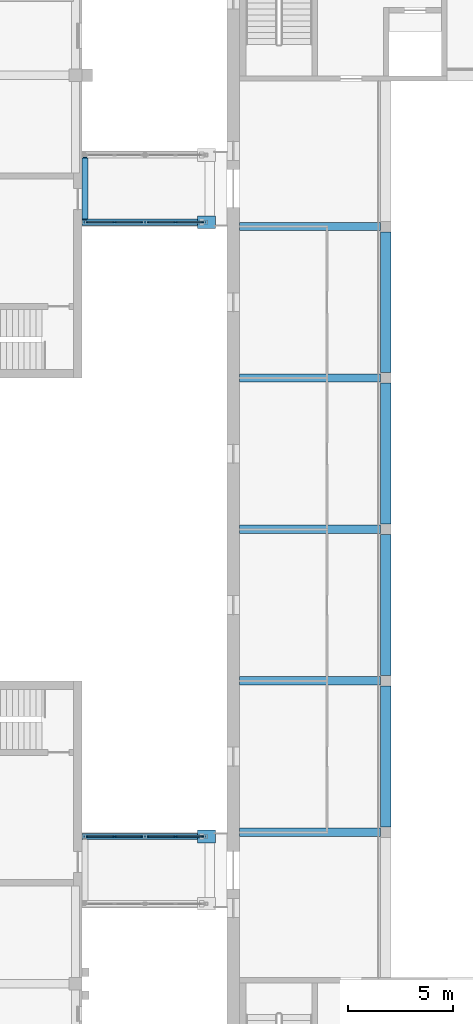
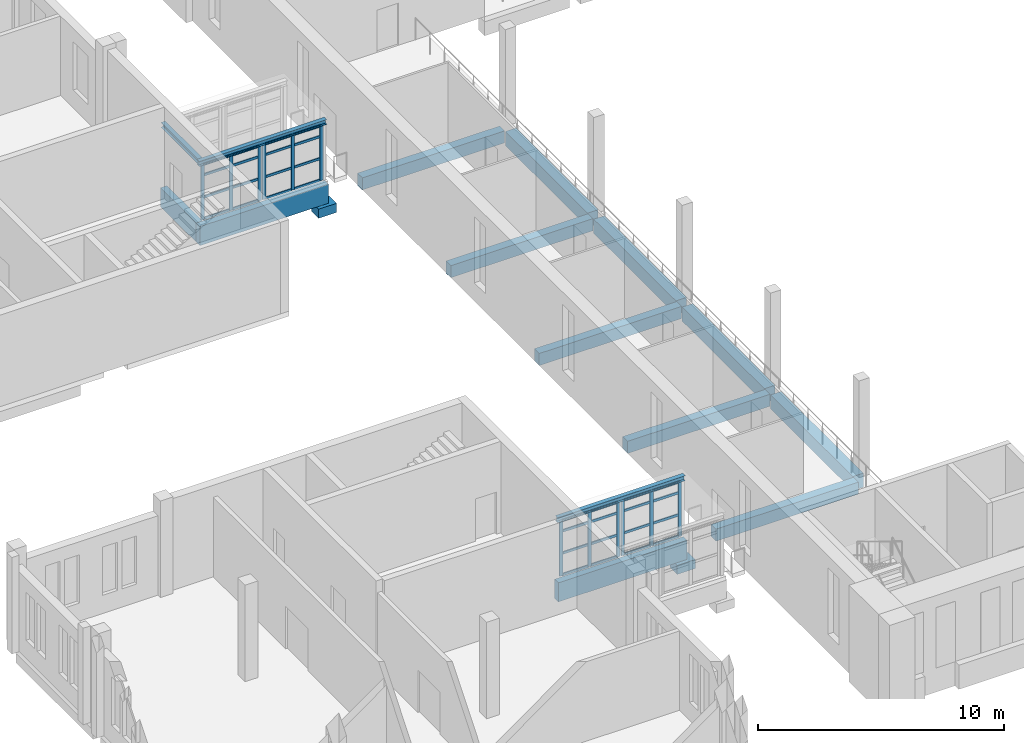
# One storey, part 39 of 131: 44 members, 17 beams, 4 elements without a shape of their own.
"""IFC4 building model written with IfcOpenShell, lengths in metres."""

from ifc_helpers import new_model, si_unit, direction, frame, origin, origin_2d, place, context, subcontext, project, spatial, rectangle, i_section, extrude, material, layer, layer_set, material_profile, profile_set, type_object, element, aggregate, save


model = new_model("IFC4")

# Units and contexts
model_context = context("Model", 3, precision=1e-05, world=origin(), true_north=direction((0.0, 1.0)))
body_context = subcontext(model_context, "Body", "Model", "MODEL_VIEW")
ifc_project = project(units=[si_unit("LENGTHUNIT", "METRE"), si_unit("AREAUNIT", "SQUARE_METRE"), si_unit("VOLUMEUNIT", "CUBIC_METRE"), si_unit("PLANEANGLEUNIT", "RADIAN"), si_unit("MASSUNIT", "GRAM", prefix="KILO")], contexts=[model_context])

# Site, building, storey
site_placement = place(None, origin())
site = spatial("IfcSite", under=ifc_project, at=site_placement, CompositionType="ELEMENT")
building_placement = place(site_placement, origin())
building = spatial("IfcBuilding", under=site, at=building_placement, Name="Alderwick Market Hall", CompositionType="ELEMENT")
storey_placement = place(building_placement, frame((0.0, 0.0, 4.800048828125)))
storey = spatial("IfcBuildingStorey", under=building, at=storey_placement, Name="L00", CompositionType="ELEMENT", Elevation=4.800048828125)

# Beams
ifc_material_1 = material(Name="Concrete 5000 psi (f'c 35 MPa)", Category="concrete")
ifc_material_profile_1 = material_profile(ifc_material_1, rectangle(XDim=0.5, YDim=0.699951171875, at=origin_2d()), Name="RC 500x700")
ifc_profile_set_1 = profile_set([ifc_material_profile_1], Name="Concrete 5000 psi (f'c 35 MPa)")
beam_type_1 = type_object("IfcBeamType", Name="H Edge beam 500x700", PredefinedType="BEAM", material=ifc_profile_set_1)
for number, where, z_axis, x_axis, name in (
    (1, (57.639892578125, 65.050048828125, -0.60009765625), (0.0, 1.0, 0.0), (-1.0, 0.0, 0.0), "Gallery edge beam W"),
    (2, (57.639892578125, 72.25, -0.60009765625), (0.0, 1.0, 0.0), (-1.0, 0.0, 0.0), "Gallery edge beam W"),
    (3, (57.639892578125, 79.449951171875, -0.60009765625), (0.0, 1.0, 0.0), (-1.0, 0.0, 0.0), "Gallery edge beam W"),
):
    element("IfcBeam", number, at=place(storey_placement, frame(where, z_axis=z_axis, x_axis=x_axis)), inside=storey, type_object=beam_type_1, Name=name, PredefinedType="BEAM", context=body_context, shape_type="SweptSolid", body=[
        extrude(rectangle(XDim=0.5, YDim=0.699951171875, at=origin_2d()), origin(), (0.0, 0.0, 1.0), 6.699951171875),
    ])
beam_1_placement = place(storey_placement, frame((57.639892578125, 86.64990234375, -0.60009765625), z_axis=(0.0, 1.0, 0.0), x_axis=(-1.0, 0.0, 0.0)))
element("IfcBeam", 4, at=beam_1_placement, inside=storey, type_object=beam_type_1, Name="Gallery edge beam W", PredefinedType="BEAM", context=body_context, shape_type="SweptSolid", body=[
    extrude(rectangle(XDim=0.5, YDim=0.699951171875, at=origin_2d()), origin(), (0.0, 0.0, 1.0), 6.7001953125),
])
ifc_material_profile_2 = material_profile(ifc_material_1, rectangle(XDim=0.39990234375, YDim=0.60009765625, at=origin_2d()), Name="RC 400x600")
ifc_profile_set_2 = profile_set([ifc_material_profile_2], Name="Concrete 5000 psi (f'c 35 MPa)")
beam_type_2 = type_object("IfcBeamType", Name="H Gallery beam 400x600", PredefinedType="BEAM", material=ifc_profile_set_2)
for number, where, z_axis, x_axis, name in (
    (5, (50.699951171875, 64.800048828125, -0.550048828125), (1.0, 0.0, 0.0), (0.0, 1.0, 0.0), "Gallery beam W"),
    (6, (50.699951171875, 72.0, -0.550048828125), (1.0, 0.0, 0.0), (0.0, 1.0, 0.0), "Gallery beam W"),
    (7, (50.699951171875, 79.199951171875, -0.550048828125), (1.0, 0.0, 0.0), (0.0, 1.0, 0.0), "Gallery beam W"),
    (8, (50.699951171875, 86.39990234375, -0.550048828125), (1.0, 0.0, 0.0), (0.0, 1.0, 0.0), "Gallery beam W"),
    (9, (50.699951171875, 93.60009765625, -0.550048828125), (1.0, 0.0, 0.0), (0.0, 1.0, 0.0), "Gallery beam W"),
):
    element("IfcBeam", number, at=place(storey_placement, frame(where, z_axis=z_axis, x_axis=x_axis)), inside=storey, type_object=beam_type_2, Name=name, PredefinedType="BEAM", context=body_context, shape_type="SweptSolid", body=[
        extrude(rectangle(XDim=0.39990234375, YDim=0.60009765625, at=origin_2d()), origin(), (0.0, 0.0, 1.0), 6.68994140625),
    ])

# Curtain wall, members
ifc_material_2 = material(Name="Aluminium frame", Category="aluminium")
ifc_layer = layer(ifc_material_2, 0.10009765625)
ifc_layer_set = layer_set([ifc_layer], Name="Aluminium frame")
curtain_wall_type = type_object("IfcCurtainWallType", Name="P Curtain Wall 100", PredefinedType="NOTDEFINED", material=ifc_layer_set)
curtain_wall_1_placement = place(storey_placement, origin())
curtain_wall_1 = element("IfcCurtainWall", 10, at=curtain_wall_1_placement, inside=storey, type_object=curtain_wall_type, Name="P.P5.cw.a0", PredefinedType="NOTDEFINED")
ifc_material_profile_3 = material_profile(ifc_material_2, rectangle(XDim=0.06005859375, YDim=0.159912109375, at=origin_2d()), Name="P Mullion 60x160")
ifc_profile_set_3 = profile_set([ifc_material_profile_3], Name="Aluminium frame")
member_type_1 = type_object("IfcMemberType", Name="P Mullion 60x160", PredefinedType="MULLION", material=ifc_profile_set_3)
member_1_placement = place(storey_placement, frame((43.406005859375, 93.800048828125, 0.0), z_axis=(0.0, 0.0, 1.0), x_axis=(0.0, 1.0, 0.0)))
member_1 = element("IfcMember", 11, at=member_1_placement, type_object=member_type_1, Name="P-CW5a0 mullion 1", PredefinedType="MULLION", context=body_context, shape_type="SweptSolid", body=[
    extrude(rectangle(XDim=0.06005859375, YDim=0.159912109375, at=origin_2d()), origin(), (0.0, 0.0, 1.0), 2.7529296875),
])
member_2_placement = place(storey_placement, frame((44.75, 93.800048828125, 0.0), z_axis=(0.0, 0.0, 1.0), x_axis=(0.0, 1.0, 0.0)))
member_2 = element("IfcMember", 12, at=member_2_placement, type_object=member_type_1, Name="P-CW5a0 mullion 2", PredefinedType="MULLION", context=body_context, shape_type="SweptSolid", body=[
    extrude(rectangle(XDim=0.06005859375, YDim=0.159912109375, at=origin_2d()), origin(), (0.0, 0.0, 1.0), 2.7529296875),
])
member_3_placement = place(storey_placement, frame((46.093994140625, 93.800048828125, 0.0), z_axis=(0.0, 0.0, 1.0), x_axis=(0.0, 1.0, 0.0)))
member_3 = element("IfcMember", 13, at=member_3_placement, type_object=member_type_1, Name="P-CW5a0 mullion 3", PredefinedType="MULLION", context=body_context, shape_type="SweptSolid", body=[
    extrude(rectangle(XDim=0.06005859375, YDim=0.159912109375, at=origin_2d()), origin(), (0.0, 0.0, 1.0), 2.7529296875),
])

curtain_wall_2_placement = place(storey_placement, origin())
curtain_wall_2 = element("IfcCurtainWall", 14, at=curtain_wall_2_placement, inside=storey, type_object=curtain_wall_type, Name="P.P5.cw.a1", PredefinedType="NOTDEFINED")
member_4_placement = place(storey_placement, frame((46.305908203125, 93.800048828125, 0.0), z_axis=(0.0, 0.0, 1.0), x_axis=(0.0, 1.0, 0.0)))
member_4 = element("IfcMember", 15, at=member_4_placement, type_object=member_type_1, Name="P-CW5a1 mullion 1", PredefinedType="MULLION", context=body_context, shape_type="SweptSolid", body=[
    extrude(rectangle(XDim=0.06005859375, YDim=0.159912109375, at=origin_2d()), origin(), (0.0, 0.0, 1.0), 2.7529296875),
])
member_5_placement = place(storey_placement, frame((47.64990234375, 93.800048828125, 0.0), z_axis=(0.0, 0.0, 1.0), x_axis=(0.0, 1.0, 0.0)))
member_5 = element("IfcMember", 16, at=member_5_placement, type_object=member_type_1, Name="P-CW5a1 mullion 2", PredefinedType="MULLION", context=body_context, shape_type="SweptSolid", body=[
    extrude(rectangle(XDim=0.06005859375, YDim=0.159912109375, at=origin_2d()), origin(), (0.0, 0.0, 1.0), 2.7529296875),
])
member_6_placement = place(storey_placement, frame((48.993896484375, 93.800048828125, 0.0), z_axis=(0.0, 0.0, 1.0), x_axis=(0.0, 1.0, 0.0)))
member_6 = element("IfcMember", 17, at=member_6_placement, type_object=member_type_1, Name="P-CW5a1 mullion 3", PredefinedType="MULLION", context=body_context, shape_type="SweptSolid", body=[
    extrude(rectangle(XDim=0.06005859375, YDim=0.159912109375, at=origin_2d()), origin(), (0.0, 0.0, 1.0), 2.7529296875),
])

curtain_wall_3_placement = place(storey_placement, origin())
curtain_wall_3 = element("IfcCurtainWall", 18, at=curtain_wall_3_placement, inside=storey, type_object=curtain_wall_type, Name="P.P6.cw.b0", PredefinedType="NOTDEFINED")
member_7_placement = place(storey_placement, frame((43.406005859375, 64.60009765625, 0.0), z_axis=(0.0, 0.0, 1.0), x_axis=(0.0, 1.0, 0.0)))
member_7 = element("IfcMember", 19, at=member_7_placement, type_object=member_type_1, Name="P-CW6b0 mullion 1", PredefinedType="MULLION", context=body_context, shape_type="SweptSolid", body=[
    extrude(rectangle(XDim=0.06005859375, YDim=0.159912109375, at=origin_2d()), origin(), (0.0, 0.0, 1.0), 2.7529296875),
])
member_8_placement = place(storey_placement, frame((44.75, 64.60009765625, 0.0), z_axis=(0.0, 0.0, 1.0), x_axis=(0.0, 1.0, 0.0)))
member_8 = element("IfcMember", 20, at=member_8_placement, type_object=member_type_1, Name="P-CW6b0 mullion 2", PredefinedType="MULLION", context=body_context, shape_type="SweptSolid", body=[
    extrude(rectangle(XDim=0.06005859375, YDim=0.159912109375, at=origin_2d()), origin(), (0.0, 0.0, 1.0), 2.7529296875),
])
member_9_placement = place(storey_placement, frame((46.093994140625, 64.60009765625, 0.0), z_axis=(0.0, 0.0, 1.0), x_axis=(0.0, 1.0, 0.0)))
member_9 = element("IfcMember", 21, at=member_9_placement, type_object=member_type_1, Name="P-CW6b0 mullion 3", PredefinedType="MULLION", context=body_context, shape_type="SweptSolid", body=[
    extrude(rectangle(XDim=0.06005859375, YDim=0.159912109375, at=origin_2d()), origin(), (0.0, 0.0, 1.0), 2.7529296875),
])

curtain_wall_4_placement = place(storey_placement, origin())
curtain_wall_4 = element("IfcCurtainWall", 22, at=curtain_wall_4_placement, inside=storey, type_object=curtain_wall_type, Name="P.P6.cw.b1", PredefinedType="NOTDEFINED")
member_10_placement = place(storey_placement, frame((46.305908203125, 64.60009765625, 0.0), z_axis=(0.0, 0.0, 1.0), x_axis=(0.0, 1.0, 0.0)))
member_10 = element("IfcMember", 23, at=member_10_placement, type_object=member_type_1, Name="P-CW6b1 mullion 1", PredefinedType="MULLION", context=body_context, shape_type="SweptSolid", body=[
    extrude(rectangle(XDim=0.06005859375, YDim=0.159912109375, at=origin_2d()), origin(), (0.0, 0.0, 1.0), 2.7529296875),
])
member_11_placement = place(storey_placement, frame((47.64990234375, 64.60009765625, 0.0), z_axis=(0.0, 0.0, 1.0), x_axis=(0.0, 1.0, 0.0)))
member_11 = element("IfcMember", 24, at=member_11_placement, type_object=member_type_1, Name="P-CW6b1 mullion 2", PredefinedType="MULLION", context=body_context, shape_type="SweptSolid", body=[
    extrude(rectangle(XDim=0.06005859375, YDim=0.159912109375, at=origin_2d()), origin(), (0.0, 0.0, 1.0), 2.7529296875),
])
member_12_placement = place(storey_placement, frame((48.993896484375, 64.60009765625, 0.0), z_axis=(0.0, 0.0, 1.0), x_axis=(0.0, 1.0, 0.0)))
member_12 = element("IfcMember", 25, at=member_12_placement, type_object=member_type_1, Name="P-CW6b1 mullion 3", PredefinedType="MULLION", context=body_context, shape_type="SweptSolid", body=[
    extrude(rectangle(XDim=0.06005859375, YDim=0.159912109375, at=origin_2d()), origin(), (0.0, 0.0, 1.0), 2.7529296875),
])

# Beams
ifc_material_profile_4 = material_profile(ifc_material_1, rectangle(XDim=0.60009765625, YDim=0.449951171875, at=origin_2d()), Name="P RC Bearing Corbel 600x450")
ifc_profile_set_4 = profile_set([ifc_material_profile_4], Name="Concrete 5000 psi (f'c 35 MPa)")
beam_type_3 = type_object("IfcBeamType", Name="P RC Bearing Corbel 600x450", PredefinedType="USERDEFINED", material=ifc_profile_set_4)
for number, where, z_axis, x_axis, name in (
    (26, (48.699951171875, 93.800048828125, -1.39306640625), (1.0, 0.0, 0.0), (0.0, 1.0, 0.0), "Bearing corbel"),
    (27, (48.699951171875, 64.60009765625, -1.39306640625), (1.0, 0.0, 0.0), (0.0, 1.0, 0.0), "Bearing corbel"),
):
    element("IfcBeam", number, at=place(storey_placement, frame(where, z_axis=z_axis, x_axis=x_axis)), inside=storey, type_object=beam_type_3, Name=name, ObjectType="CORBEL", PredefinedType="USERDEFINED", context=body_context, shape_type="SweptSolid", body=[
        extrude(rectangle(XDim=0.60009765625, YDim=0.449951171875, at=origin_2d()), origin(), (0.0, 0.0, 1.0), 0.85009765625),
    ])
ifc_material_profile_5 = material_profile(ifc_material_1, rectangle(XDim=0.300048828125, YDim=0.949951171875, at=origin_2d()), Name="P RC Edge Girder 300x950")
ifc_profile_set_5 = profile_set([ifc_material_profile_5], Name="Concrete 5000 psi (f'c 35 MPa)")
beam_type_4 = type_object("IfcBeamType", Name="P RC Edge Girder 300x950", PredefinedType="BEAM", material=ifc_profile_set_5)
beam_2_placement = place(storey_placement, frame((43.199951171875, 93.800048828125, -0.675048828125), z_axis=(1.0, 0.0, 0.0), x_axis=(0.0, 1.0, 0.0)))
element("IfcBeam", 28, at=beam_2_placement, inside=storey, type_object=beam_type_4, Name="P.P5.girder.a", PredefinedType="BEAM", context=body_context, shape_type="SweptSolid", body=[
    extrude(rectangle(XDim=0.300048828125, YDim=0.949951171875, at=origin_2d()), origin(), (0.0, 0.0, 1.0), 6.050048828125),
])
beam_3_placement = place(storey_placement, frame((43.35009765625, 93.949951171875, -0.675048828125), z_axis=(0.0, 1.0, 0.0), x_axis=(-1.0, 0.0, 0.0)))
element("IfcBeam", 29, at=beam_3_placement, inside=storey, type_object=beam_type_4, Name="Passage tie girder", PredefinedType="BEAM", context=body_context, shape_type="SweptSolid", body=[
    extrude(rectangle(XDim=0.300048828125, YDim=0.949951171875, at=origin_2d()), origin(), (0.0, 0.0, 1.0), 2.900146484375),
])
beam_4_placement = place(storey_placement, frame((43.199951171875, 64.60009765625, -0.675048828125), z_axis=(1.0, 0.0, 0.0), x_axis=(0.0, 1.0, 0.0)))
element("IfcBeam", 30, at=beam_4_placement, inside=storey, type_object=beam_type_4, Name="P.P6.girder.b", PredefinedType="BEAM", context=body_context, shape_type="SweptSolid", body=[
    extrude(rectangle(XDim=0.300048828125, YDim=0.949951171875, at=origin_2d()), origin(), (0.0, 0.0, 1.0), 6.050048828125),
])
ifc_material_3 = material(Name="Steel ASTM A992 Grade 50", Category="steel")
ifc_material_profile_6 = material_profile(ifc_material_3, i_section(OverallWidth=0.201904296875, OverallDepth=0.2470703125, WebThickness=0.00732421875, FlangeThickness=0.010986328125, at=origin_2d()), Name="W250x49")
ifc_profile_set_6 = profile_set([ifc_material_profile_6], Name="Steel ASTM A992 Grade 50")
beam_type_5 = type_object("IfcBeamType", Name="P Roof Beam W250x49", PredefinedType="BEAM", material=ifc_profile_set_6)
beam_5_placement = place(storey_placement, frame((43.199951171875, 93.800048828125, 2.87646484375), z_axis=(1.0, 0.0, 0.0), x_axis=(0.0, 1.0, 0.0)))
element("IfcBeam", 31, at=beam_5_placement, inside=storey, type_object=beam_type_5, Name="P.P5.rbeam.a", PredefinedType="BEAM", context=body_context, shape_type="SweptSolid", body=[
    extrude(i_section(OverallWidth=0.201904296875, OverallDepth=0.2470703125, WebThickness=0.00732421875, FlangeThickness=0.010986328125, at=origin_2d()), origin(), (0.0, 0.0, 1.0), 6.0),
])
beam_6_placement = place(storey_placement, frame((43.35009765625, 93.90087890625, 2.87646484375), z_axis=(0.0, 1.0, 0.0), x_axis=(-1.0, 0.0, 0.0)))
element("IfcBeam", 32, at=beam_6_placement, inside=storey, type_object=beam_type_5, Name="Passage tie beam", PredefinedType="BEAM", context=body_context, shape_type="SweptSolid", body=[
    extrude(i_section(OverallWidth=0.201904296875, OverallDepth=0.2470703125, WebThickness=0.00732421875, FlangeThickness=0.010986328125, at=origin_2d()), origin(), (0.0, 0.0, 1.0), 2.998046875),
])
beam_7_placement = place(storey_placement, frame((43.199951171875, 64.60009765625, 2.87646484375), z_axis=(1.0, 0.0, 0.0), x_axis=(0.0, 1.0, 0.0)))
element("IfcBeam", 33, at=beam_7_placement, inside=storey, type_object=beam_type_5, Name="P.P6.rbeam.b", PredefinedType="BEAM", context=body_context, shape_type="SweptSolid", body=[
    extrude(i_section(OverallWidth=0.201904296875, OverallDepth=0.2470703125, WebThickness=0.00732421875, FlangeThickness=0.010986328125, at=origin_2d()), origin(), (0.0, 0.0, 1.0), 6.0),
])

# Member
ifc_material_profile_7 = material_profile(ifc_material_2, rectangle(XDim=0.06005859375, YDim=0.1201171875, at=origin_2d()), Name="P Transom 60x120")
ifc_profile_set_7 = profile_set([ifc_material_profile_7], Name="Aluminium frame")
member_type_2 = type_object("IfcMemberType", Name="P Transom 60x120", PredefinedType="USERDEFINED", material=ifc_profile_set_7)
member_13_placement = place(storey_placement, frame((43.43603515625, 93.800048828125, 0.030029296875), z_axis=(1.0, 0.0, 0.0), x_axis=(0.0, 1.0, 0.0)))
member_13 = element("IfcMember", 34, at=member_13_placement, type_object=member_type_2, Name="P-CW5a0 transom 1.1", ObjectType="TRANSOM", PredefinedType="USERDEFINED", context=body_context, shape_type="SweptSolid", body=[
    extrude(rectangle(XDim=0.06005859375, YDim=0.1201171875, at=origin_2d()), origin(), (0.0, 0.0, 1.0), 1.283935546875),
])

member_14_placement = place(storey_placement, frame((43.43603515625, 93.800048828125, 1.099853515625), z_axis=(1.0, 0.0, 0.0), x_axis=(0.0, 1.0, 0.0)))
member_14 = element("IfcMember", 35, at=member_14_placement, type_object=member_type_2, Name="P-CW5a0 transom 1.2", ObjectType="TRANSOM", PredefinedType="USERDEFINED", context=body_context, shape_type="SweptSolid", body=[
    extrude(rectangle(XDim=0.06005859375, YDim=0.1201171875, at=origin_2d()), origin(), (0.0, 0.0, 1.0), 1.283935546875),
])

member_15_placement = place(storey_placement, frame((43.43603515625, 93.800048828125, 2.199951171875), z_axis=(1.0, 0.0, 0.0), x_axis=(0.0, 1.0, 0.0)))
member_15 = element("IfcMember", 36, at=member_15_placement, type_object=member_type_2, Name="P-CW5a0 transom 1.3", ObjectType="TRANSOM", PredefinedType="USERDEFINED", context=body_context, shape_type="SweptSolid", body=[
    extrude(rectangle(XDim=0.06005859375, YDim=0.1201171875, at=origin_2d()), origin(), (0.0, 0.0, 1.0), 1.283935546875),
])

member_16_placement = place(storey_placement, frame((43.43603515625, 93.800048828125, 2.722900390625), z_axis=(1.0, 0.0, 0.0), x_axis=(0.0, 1.0, 0.0)))
member_16 = element("IfcMember", 37, at=member_16_placement, type_object=member_type_2, Name="P-CW5a0 transom 1.4", ObjectType="TRANSOM", PredefinedType="USERDEFINED", context=body_context, shape_type="SweptSolid", body=[
    extrude(rectangle(XDim=0.06005859375, YDim=0.1201171875, at=origin_2d()), origin(), (0.0, 0.0, 1.0), 1.283935546875),
])

member_17_placement = place(storey_placement, frame((44.780029296875, 93.800048828125, 0.030029296875), z_axis=(1.0, 0.0, 0.0), x_axis=(0.0, 1.0, 0.0)))
member_17 = element("IfcMember", 38, at=member_17_placement, type_object=member_type_2, Name="P-CW5a0 transom 2.1", ObjectType="TRANSOM", PredefinedType="USERDEFINED", context=body_context, shape_type="SweptSolid", body=[
    extrude(rectangle(XDim=0.06005859375, YDim=0.1201171875, at=origin_2d()), origin(), (0.0, 0.0, 1.0), 1.283935546875),
])

member_18_placement = place(storey_placement, frame((44.780029296875, 93.800048828125, 1.099853515625), z_axis=(1.0, 0.0, 0.0), x_axis=(0.0, 1.0, 0.0)))
member_18 = element("IfcMember", 39, at=member_18_placement, type_object=member_type_2, Name="P-CW5a0 transom 2.2", ObjectType="TRANSOM", PredefinedType="USERDEFINED", context=body_context, shape_type="SweptSolid", body=[
    extrude(rectangle(XDim=0.06005859375, YDim=0.1201171875, at=origin_2d()), origin(), (0.0, 0.0, 1.0), 1.283935546875),
])

member_19_placement = place(storey_placement, frame((44.780029296875, 93.800048828125, 2.199951171875), z_axis=(1.0, 0.0, 0.0), x_axis=(0.0, 1.0, 0.0)))
member_19 = element("IfcMember", 40, at=member_19_placement, type_object=member_type_2, Name="P-CW5a0 transom 2.3", ObjectType="TRANSOM", PredefinedType="USERDEFINED", context=body_context, shape_type="SweptSolid", body=[
    extrude(rectangle(XDim=0.06005859375, YDim=0.1201171875, at=origin_2d()), origin(), (0.0, 0.0, 1.0), 1.283935546875),
])

member_20_placement = place(storey_placement, frame((44.780029296875, 93.800048828125, 2.722900390625), z_axis=(1.0, 0.0, 0.0), x_axis=(0.0, 1.0, 0.0)))
member_20 = element("IfcMember", 41, at=member_20_placement, type_object=member_type_2, Name="P-CW5a0 transom 2.4", ObjectType="TRANSOM", PredefinedType="USERDEFINED", context=body_context, shape_type="SweptSolid", body=[
    extrude(rectangle(XDim=0.06005859375, YDim=0.1201171875, at=origin_2d()), origin(), (0.0, 0.0, 1.0), 1.283935546875),
])

aggregate(curtain_wall_1, [member_1, member_2, member_3, member_13, member_14, member_15, member_16, member_17, member_18, member_19, member_20])

member_21_placement = place(storey_placement, frame((46.3359375, 93.800048828125, 0.030029296875), z_axis=(1.0, 0.0, 0.0), x_axis=(0.0, 1.0, 0.0)))
member_21 = element("IfcMember", 42, at=member_21_placement, type_object=member_type_2, Name="P-CW5a1 transom 1.1", ObjectType="TRANSOM", PredefinedType="USERDEFINED", context=body_context, shape_type="SweptSolid", body=[
    extrude(rectangle(XDim=0.06005859375, YDim=0.1201171875, at=origin_2d()), origin(), (0.0, 0.0, 1.0), 1.2841796875),
])

member_22_placement = place(storey_placement, frame((46.3359375, 93.800048828125, 1.099853515625), z_axis=(1.0, 0.0, 0.0), x_axis=(0.0, 1.0, 0.0)))
member_22 = element("IfcMember", 43, at=member_22_placement, type_object=member_type_2, Name="P-CW5a1 transom 1.2", ObjectType="TRANSOM", PredefinedType="USERDEFINED", context=body_context, shape_type="SweptSolid", body=[
    extrude(rectangle(XDim=0.06005859375, YDim=0.1201171875, at=origin_2d()), origin(), (0.0, 0.0, 1.0), 1.2841796875),
])

member_23_placement = place(storey_placement, frame((46.3359375, 93.800048828125, 2.199951171875), z_axis=(1.0, 0.0, 0.0), x_axis=(0.0, 1.0, 0.0)))
member_23 = element("IfcMember", 44, at=member_23_placement, type_object=member_type_2, Name="P-CW5a1 transom 1.3", ObjectType="TRANSOM", PredefinedType="USERDEFINED", context=body_context, shape_type="SweptSolid", body=[
    extrude(rectangle(XDim=0.06005859375, YDim=0.1201171875, at=origin_2d()), origin(), (0.0, 0.0, 1.0), 1.2841796875),
])

member_24_placement = place(storey_placement, frame((46.3359375, 93.800048828125, 2.722900390625), z_axis=(1.0, 0.0, 0.0), x_axis=(0.0, 1.0, 0.0)))
member_24 = element("IfcMember", 45, at=member_24_placement, type_object=member_type_2, Name="P-CW5a1 transom 1.4", ObjectType="TRANSOM", PredefinedType="USERDEFINED", context=body_context, shape_type="SweptSolid", body=[
    extrude(rectangle(XDim=0.06005859375, YDim=0.1201171875, at=origin_2d()), origin(), (0.0, 0.0, 1.0), 1.2841796875),
])

member_25_placement = place(storey_placement, frame((47.679931640625, 93.800048828125, 0.030029296875), z_axis=(1.0, 0.0, 0.0), x_axis=(0.0, 1.0, 0.0)))
member_25 = element("IfcMember", 46, at=member_25_placement, type_object=member_type_2, Name="P-CW5a1 transom 2.1", ObjectType="TRANSOM", PredefinedType="USERDEFINED", context=body_context, shape_type="SweptSolid", body=[
    extrude(rectangle(XDim=0.06005859375, YDim=0.1201171875, at=origin_2d()), origin(), (0.0, 0.0, 1.0), 1.2841796875),
])

member_26_placement = place(storey_placement, frame((47.679931640625, 93.800048828125, 1.099853515625), z_axis=(1.0, 0.0, 0.0), x_axis=(0.0, 1.0, 0.0)))
member_26 = element("IfcMember", 47, at=member_26_placement, type_object=member_type_2, Name="P-CW5a1 transom 2.2", ObjectType="TRANSOM", PredefinedType="USERDEFINED", context=body_context, shape_type="SweptSolid", body=[
    extrude(rectangle(XDim=0.06005859375, YDim=0.1201171875, at=origin_2d()), origin(), (0.0, 0.0, 1.0), 1.2841796875),
])

member_27_placement = place(storey_placement, frame((47.679931640625, 93.800048828125, 2.199951171875), z_axis=(1.0, 0.0, 0.0), x_axis=(0.0, 1.0, 0.0)))
member_27 = element("IfcMember", 48, at=member_27_placement, type_object=member_type_2, Name="P-CW5a1 transom 2.3", ObjectType="TRANSOM", PredefinedType="USERDEFINED", context=body_context, shape_type="SweptSolid", body=[
    extrude(rectangle(XDim=0.06005859375, YDim=0.1201171875, at=origin_2d()), origin(), (0.0, 0.0, 1.0), 1.2841796875),
])

member_28_placement = place(storey_placement, frame((47.679931640625, 93.800048828125, 2.722900390625), z_axis=(1.0, 0.0, 0.0), x_axis=(0.0, 1.0, 0.0)))
member_28 = element("IfcMember", 49, at=member_28_placement, type_object=member_type_2, Name="P-CW5a1 transom 2.4", ObjectType="TRANSOM", PredefinedType="USERDEFINED", context=body_context, shape_type="SweptSolid", body=[
    extrude(rectangle(XDim=0.06005859375, YDim=0.1201171875, at=origin_2d()), origin(), (0.0, 0.0, 1.0), 1.2841796875),
])

aggregate(curtain_wall_2, [member_4, member_5, member_6, member_21, member_22, member_23, member_24, member_25, member_26, member_27, member_28])

member_29_placement = place(storey_placement, frame((43.43603515625, 64.60009765625, 0.030029296875), z_axis=(1.0, 0.0, 0.0), x_axis=(0.0, 1.0, 0.0)))
member_29 = element("IfcMember", 50, at=member_29_placement, type_object=member_type_2, Name="P-CW6b0 transom 1.1", ObjectType="TRANSOM", PredefinedType="USERDEFINED", context=body_context, shape_type="SweptSolid", body=[
    extrude(rectangle(XDim=0.06005859375, YDim=0.1201171875, at=origin_2d()), origin(), (0.0, 0.0, 1.0), 1.283935546875),
])

member_30_placement = place(storey_placement, frame((43.43603515625, 64.60009765625, 1.099853515625), z_axis=(1.0, 0.0, 0.0), x_axis=(0.0, 1.0, 0.0)))
member_30 = element("IfcMember", 51, at=member_30_placement, type_object=member_type_2, Name="P-CW6b0 transom 1.2", ObjectType="TRANSOM", PredefinedType="USERDEFINED", context=body_context, shape_type="SweptSolid", body=[
    extrude(rectangle(XDim=0.06005859375, YDim=0.1201171875, at=origin_2d()), origin(), (0.0, 0.0, 1.0), 1.283935546875),
])

member_31_placement = place(storey_placement, frame((43.43603515625, 64.60009765625, 2.199951171875), z_axis=(1.0, 0.0, 0.0), x_axis=(0.0, 1.0, 0.0)))
member_31 = element("IfcMember", 52, at=member_31_placement, type_object=member_type_2, Name="P-CW6b0 transom 1.3", ObjectType="TRANSOM", PredefinedType="USERDEFINED", context=body_context, shape_type="SweptSolid", body=[
    extrude(rectangle(XDim=0.06005859375, YDim=0.1201171875, at=origin_2d()), origin(), (0.0, 0.0, 1.0), 1.283935546875),
])

member_32_placement = place(storey_placement, frame((43.43603515625, 64.60009765625, 2.722900390625), z_axis=(1.0, 0.0, 0.0), x_axis=(0.0, 1.0, 0.0)))
member_32 = element("IfcMember", 53, at=member_32_placement, type_object=member_type_2, Name="P-CW6b0 transom 1.4", ObjectType="TRANSOM", PredefinedType="USERDEFINED", context=body_context, shape_type="SweptSolid", body=[
    extrude(rectangle(XDim=0.06005859375, YDim=0.1201171875, at=origin_2d()), origin(), (0.0, 0.0, 1.0), 1.283935546875),
])

member_33_placement = place(storey_placement, frame((44.780029296875, 64.60009765625, 0.030029296875), z_axis=(1.0, 0.0, 0.0), x_axis=(0.0, 1.0, 0.0)))
member_33 = element("IfcMember", 54, at=member_33_placement, type_object=member_type_2, Name="P-CW6b0 transom 2.1", ObjectType="TRANSOM", PredefinedType="USERDEFINED", context=body_context, shape_type="SweptSolid", body=[
    extrude(rectangle(XDim=0.06005859375, YDim=0.1201171875, at=origin_2d()), origin(), (0.0, 0.0, 1.0), 1.283935546875),
])

member_34_placement = place(storey_placement, frame((44.780029296875, 64.60009765625, 1.099853515625), z_axis=(1.0, 0.0, 0.0), x_axis=(0.0, 1.0, 0.0)))
member_34 = element("IfcMember", 55, at=member_34_placement, type_object=member_type_2, Name="P-CW6b0 transom 2.2", ObjectType="TRANSOM", PredefinedType="USERDEFINED", context=body_context, shape_type="SweptSolid", body=[
    extrude(rectangle(XDim=0.06005859375, YDim=0.1201171875, at=origin_2d()), origin(), (0.0, 0.0, 1.0), 1.283935546875),
])

member_35_placement = place(storey_placement, frame((44.780029296875, 64.60009765625, 2.199951171875), z_axis=(1.0, 0.0, 0.0), x_axis=(0.0, 1.0, 0.0)))
member_35 = element("IfcMember", 56, at=member_35_placement, type_object=member_type_2, Name="P-CW6b0 transom 2.3", ObjectType="TRANSOM", PredefinedType="USERDEFINED", context=body_context, shape_type="SweptSolid", body=[
    extrude(rectangle(XDim=0.06005859375, YDim=0.1201171875, at=origin_2d()), origin(), (0.0, 0.0, 1.0), 1.283935546875),
])

member_36_placement = place(storey_placement, frame((44.780029296875, 64.60009765625, 2.722900390625), z_axis=(1.0, 0.0, 0.0), x_axis=(0.0, 1.0, 0.0)))
member_36 = element("IfcMember", 57, at=member_36_placement, type_object=member_type_2, Name="P-CW6b0 transom 2.4", ObjectType="TRANSOM", PredefinedType="USERDEFINED", context=body_context, shape_type="SweptSolid", body=[
    extrude(rectangle(XDim=0.06005859375, YDim=0.1201171875, at=origin_2d()), origin(), (0.0, 0.0, 1.0), 1.283935546875),
])

aggregate(curtain_wall_3, [member_7, member_8, member_9, member_29, member_30, member_31, member_32, member_33, member_34, member_35, member_36])

member_37_placement = place(storey_placement, frame((46.3359375, 64.60009765625, 0.030029296875), z_axis=(1.0, 0.0, 0.0), x_axis=(0.0, 1.0, 0.0)))
member_37 = element("IfcMember", 58, at=member_37_placement, type_object=member_type_2, Name="P-CW6b1 transom 1.1", ObjectType="TRANSOM", PredefinedType="USERDEFINED", context=body_context, shape_type="SweptSolid", body=[
    extrude(rectangle(XDim=0.06005859375, YDim=0.1201171875, at=origin_2d()), origin(), (0.0, 0.0, 1.0), 1.2841796875),
])

member_38_placement = place(storey_placement, frame((46.3359375, 64.60009765625, 1.099853515625), z_axis=(1.0, 0.0, 0.0), x_axis=(0.0, 1.0, 0.0)))
member_38 = element("IfcMember", 59, at=member_38_placement, type_object=member_type_2, Name="P-CW6b1 transom 1.2", ObjectType="TRANSOM", PredefinedType="USERDEFINED", context=body_context, shape_type="SweptSolid", body=[
    extrude(rectangle(XDim=0.06005859375, YDim=0.1201171875, at=origin_2d()), origin(), (0.0, 0.0, 1.0), 1.2841796875),
])

member_39_placement = place(storey_placement, frame((46.3359375, 64.60009765625, 2.199951171875), z_axis=(1.0, 0.0, 0.0), x_axis=(0.0, 1.0, 0.0)))
member_39 = element("IfcMember", 60, at=member_39_placement, type_object=member_type_2, Name="P-CW6b1 transom 1.3", ObjectType="TRANSOM", PredefinedType="USERDEFINED", context=body_context, shape_type="SweptSolid", body=[
    extrude(rectangle(XDim=0.06005859375, YDim=0.1201171875, at=origin_2d()), origin(), (0.0, 0.0, 1.0), 1.2841796875),
])

member_40_placement = place(storey_placement, frame((46.3359375, 64.60009765625, 2.722900390625), z_axis=(1.0, 0.0, 0.0), x_axis=(0.0, 1.0, 0.0)))
member_40 = element("IfcMember", 61, at=member_40_placement, type_object=member_type_2, Name="P-CW6b1 transom 1.4", ObjectType="TRANSOM", PredefinedType="USERDEFINED", context=body_context, shape_type="SweptSolid", body=[
    extrude(rectangle(XDim=0.06005859375, YDim=0.1201171875, at=origin_2d()), origin(), (0.0, 0.0, 1.0), 1.2841796875),
])

member_41_placement = place(storey_placement, frame((47.679931640625, 64.60009765625, 0.030029296875), z_axis=(1.0, 0.0, 0.0), x_axis=(0.0, 1.0, 0.0)))
member_41 = element("IfcMember", 62, at=member_41_placement, type_object=member_type_2, Name="P-CW6b1 transom 2.1", ObjectType="TRANSOM", PredefinedType="USERDEFINED", context=body_context, shape_type="SweptSolid", body=[
    extrude(rectangle(XDim=0.06005859375, YDim=0.1201171875, at=origin_2d()), origin(), (0.0, 0.0, 1.0), 1.2841796875),
])

member_42_placement = place(storey_placement, frame((47.679931640625, 64.60009765625, 1.099853515625), z_axis=(1.0, 0.0, 0.0), x_axis=(0.0, 1.0, 0.0)))
member_42 = element("IfcMember", 63, at=member_42_placement, type_object=member_type_2, Name="P-CW6b1 transom 2.2", ObjectType="TRANSOM", PredefinedType="USERDEFINED", context=body_context, shape_type="SweptSolid", body=[
    extrude(rectangle(XDim=0.06005859375, YDim=0.1201171875, at=origin_2d()), origin(), (0.0, 0.0, 1.0), 1.2841796875),
])

member_43_placement = place(storey_placement, frame((47.679931640625, 64.60009765625, 2.199951171875), z_axis=(1.0, 0.0, 0.0), x_axis=(0.0, 1.0, 0.0)))
member_43 = element("IfcMember", 64, at=member_43_placement, type_object=member_type_2, Name="P-CW6b1 transom 2.3", ObjectType="TRANSOM", PredefinedType="USERDEFINED", context=body_context, shape_type="SweptSolid", body=[
    extrude(rectangle(XDim=0.06005859375, YDim=0.1201171875, at=origin_2d()), origin(), (0.0, 0.0, 1.0), 1.2841796875),
])

member_44_placement = place(storey_placement, frame((47.679931640625, 64.60009765625, 2.722900390625), z_axis=(1.0, 0.0, 0.0), x_axis=(0.0, 1.0, 0.0)))
member_44 = element("IfcMember", 65, at=member_44_placement, type_object=member_type_2, Name="P-CW6b1 transom 2.4", ObjectType="TRANSOM", PredefinedType="USERDEFINED", context=body_context, shape_type="SweptSolid", body=[
    extrude(rectangle(XDim=0.06005859375, YDim=0.1201171875, at=origin_2d()), origin(), (0.0, 0.0, 1.0), 1.2841796875),
])

aggregate(curtain_wall_4, [member_10, member_11, member_12, member_37, member_38, member_39, member_40, member_41, member_42, member_43, member_44])

save(model, "model.ifc")
